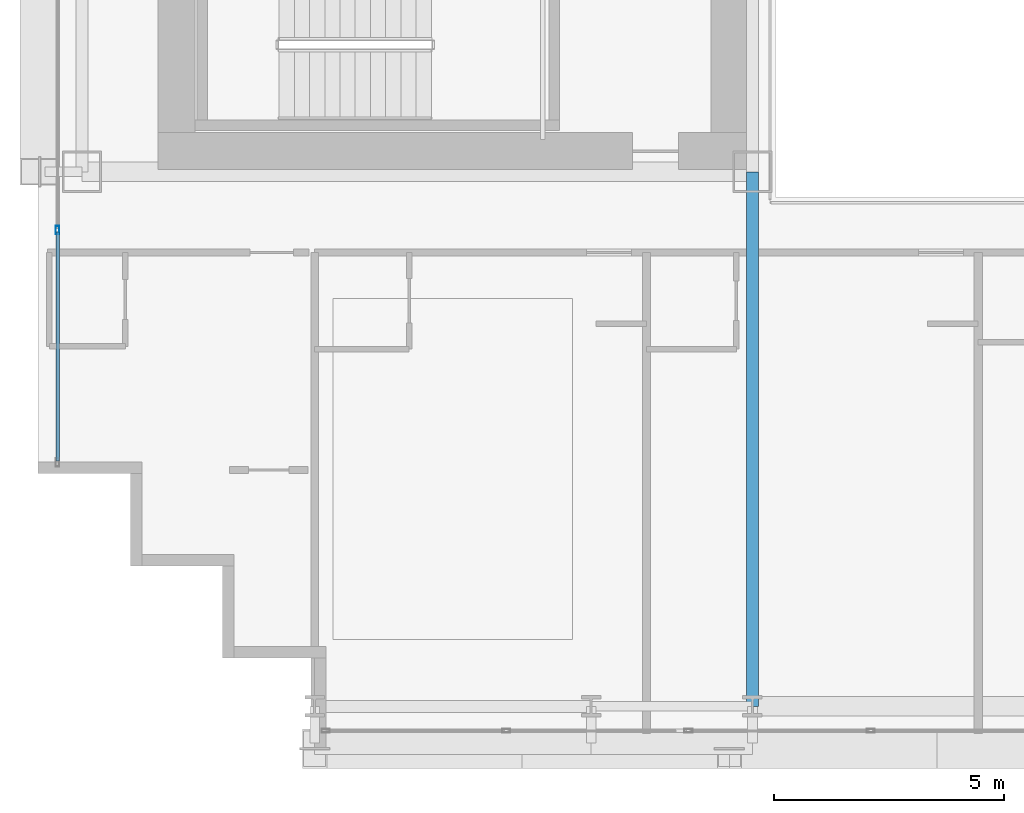
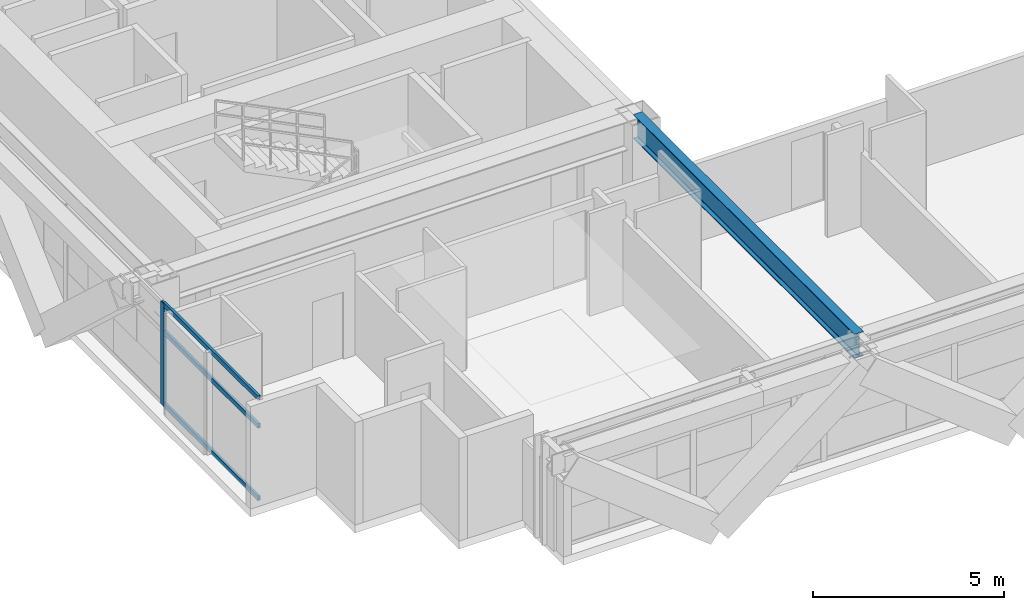
# One storey, part 3 of 35: 4 members, 1 beam, 1 element without a shape of its own.
"""IFC4 building model written with IfcOpenShell, lengths in metres."""

from ifc_helpers import new_model, si_unit, direction, frame, origin, origin_2d, place, context, subcontext, project, spatial, hollow_rectangle, i_section, extrude, source, transform, mapped, material, layer, layer_set, material_profile, profile_set, type_object, element, aggregate, save


model = new_model("IFC4")

# Units and contexts
model_context = context("Model", 3, precision=1e-05, world=origin(), true_north=direction((0.0, 1.0)))
body_context = subcontext(model_context, "Body", "Model", "MODEL_VIEW")
ifc_project = project(units=[si_unit("LENGTHUNIT", "METRE"), si_unit("AREAUNIT", "SQUARE_METRE"), si_unit("VOLUMEUNIT", "CUBIC_METRE"), si_unit("PLANEANGLEUNIT", "RADIAN"), si_unit("MASSUNIT", "GRAM", prefix="KILO")], contexts=[model_context])

# Site, building, storey
site_placement = place(None, origin())
site = spatial("IfcSite", under=ifc_project, at=site_placement, CompositionType="ELEMENT")
building_placement = place(site_placement, origin())
building = spatial("IfcBuilding", under=site, at=building_placement, Name="Ocotamira Hotel", CompositionType="ELEMENT")
storey_placement = place(building_placement, frame((0.0, 0.0, 81.60009765625)))
storey = spatial("IfcBuildingStorey", under=building, at=storey_placement, Name="L20", CompositionType="ELEMENT", Elevation=81.60009765625)

# Beam
ifc_material_1 = material(Name="Steel ASTM A992 Grade 50", Category="steel")
ifc_material_profile_1 = material_profile(ifc_material_1, i_section(OverallWidth=0.26611328125, OverallDepth=0.779052734375, WebThickness=0.0166015625, FlangeThickness=0.030029296875, FilletRadius=0.01806640625, at=origin_2d()), Name="W30X148")
ifc_profile_set_1 = profile_set([ifc_material_profile_1], Name="Steel ASTM A992 Grade 50")
beam_type = type_object("IfcBeamType", Name="BM-GIRD-W30X148", PredefinedType="BEAM", material=ifc_profile_set_1)
shared_shape_1 = source(origin(), body_context, "Body", "SweptSolid", [
    extrude(i_section(OverallWidth=0.26611328125, OverallDepth=0.779052734375, WebThickness=0.0166015625, FlangeThickness=0.030029296875, FilletRadius=0.01806640625, at=origin_2d()), origin(), (0.0, 0.0, 1.0), 11.60009765625),
])
beam_placement = place(storey_placement, frame((23.5, 2.949951171875, 2.890380859375), z_axis=(0.0, 1.0, 0.0), x_axis=(-1.0, 0.0, 0.0)))
element("IfcBeam", 1, at=beam_placement, inside=storey, type_object=beam_type, Name="L20 Beam X23.5 Y2.95-14.55", PredefinedType="BEAM", context=body_context, shape_type="MappedRepresentation", body=[
    mapped(shared_shape_1, transform((0.0, 0.0, 0.0), scale=1.0)),
])

# Curtain wall, members
ifc_material_2 = material(Name="Anodised pale-metal aluminium and solar glass", Category="aluminium")
ifc_layer = layer(ifc_material_2, 0.179931640625)
ifc_layer_set = layer_set([ifc_layer], Name="Anodised pale-metal aluminium and solar glass")
curtain_wall_type = type_object("IfcCurtainWallType", Name="CW-SYS2-Z1", PredefinedType="NOTDEFINED", material=ifc_layer_set)
curtain_wall_placement = place(storey_placement, origin())
curtain_wall = element("IfcCurtainWall", 2, at=curtain_wall_placement, inside=storey, type_object=curtain_wall_type, Name="L20 Curtain Wall CW-2 CW-L20-W", PredefinedType="NOTDEFINED")
ifc_material_3 = material(Name="Anodised pale-metal aluminium 6063-T6", Category="aluminium")
ifc_material_profile_2 = material_profile(ifc_material_3, hollow_rectangle(XDim=0.074951171875, YDim=0.14990234375, WallThickness=0.006103515625, at=origin_2d()), Name="HSS150X75X6")
ifc_profile_set_2 = profile_set([ifc_material_profile_2], Name="Anodised pale-metal aluminium 6063-T6")
member_type_1 = type_object("IfcMemberType", Name="CWT-150X75", PredefinedType="USERDEFINED", material=ifc_profile_set_2)
shared_shape_2 = source(origin(), body_context, "Body", "SweptSolid", [
    extrude(hollow_rectangle(XDim=0.074951171875, YDim=0.14990234375, WallThickness=0.006103515625, at=origin_2d()), origin(), (0.0, 0.0, 1.0), 4.965576171875),
])
member_1_placement = place(storey_placement, frame((8.419921875, 8.280029296875, 0.037353515625), z_axis=(0.0, 1.0, 0.0), x_axis=(-1.0, 0.0, 0.0)))
member_1 = element("IfcMember", 3, at=member_1_placement, type_object=member_type_1, Name="CW-2 transom 1.1", ObjectType="TRANSOM", PredefinedType="USERDEFINED", context=body_context, shape_type="MappedRepresentation", body=[
    mapped(shared_shape_2, transform((0.0, 0.0, 0.0), scale=1.0)),
])
member_2_placement = place(storey_placement, frame((8.419921875, 8.280029296875, 2.349853515625), z_axis=(0.0, 1.0, 0.0), x_axis=(-1.0, 0.0, 0.0)))
member_2 = element("IfcMember", 4, at=member_2_placement, type_object=member_type_1, Name="CW-2 transom 1.2", ObjectType="TRANSOM", PredefinedType="USERDEFINED", context=body_context, shape_type="MappedRepresentation", body=[
    mapped(shared_shape_2, transform((0.0, 0.0, 0.0), scale=1.0)),
])
member_3_placement = place(storey_placement, frame((8.419921875, 8.280029296875, 3.242431640625), z_axis=(0.0, 1.0, 0.0), x_axis=(-1.0, 0.0, 0.0)))
member_3 = element("IfcMember", 5, at=member_3_placement, type_object=member_type_1, Name="CW-2 transom 1.3", ObjectType="TRANSOM", PredefinedType="USERDEFINED", context=body_context, shape_type="MappedRepresentation", body=[
    mapped(shared_shape_2, transform((0.0, 0.0, 0.0), scale=1.0)),
])
ifc_material_profile_3 = material_profile(ifc_material_3, hollow_rectangle(XDim=0.080078125, YDim=0.179931640625, WallThickness=0.006103515625, at=origin_2d()), Name="HSS180X80X6")
ifc_profile_set_3 = profile_set([ifc_material_profile_3], Name="Anodised pale-metal aluminium 6063-T6")
member_type_2 = type_object("IfcMemberType", Name="CWM-180X75", PredefinedType="MULLION", material=ifc_profile_set_3)
shared_shape_3 = source(origin(), body_context, "Body", "SweptSolid", [
    extrude(hollow_rectangle(XDim=0.080078125, YDim=0.179931640625, WallThickness=0.006103515625, at=origin_2d()), origin(), (0.0, 0.0, 1.0), 3.27978515625),
])
member_4_placement = place(storey_placement, frame((8.419921875, 13.28564453125, 0.0), z_axis=(0.0, 0.0, 1.0), x_axis=(-1.0, 0.0, 0.0)))
member_4 = element("IfcMember", 6, at=member_4_placement, type_object=member_type_2, Name="CW-2 mullion 2", PredefinedType="MULLION", context=body_context, shape_type="MappedRepresentation", body=[
    mapped(shared_shape_3, transform((0.0, 0.0, 0.0), scale=1.0)),
])
aggregate(curtain_wall, [member_4, member_1, member_2, member_3])

save(model, "model.ifc")
